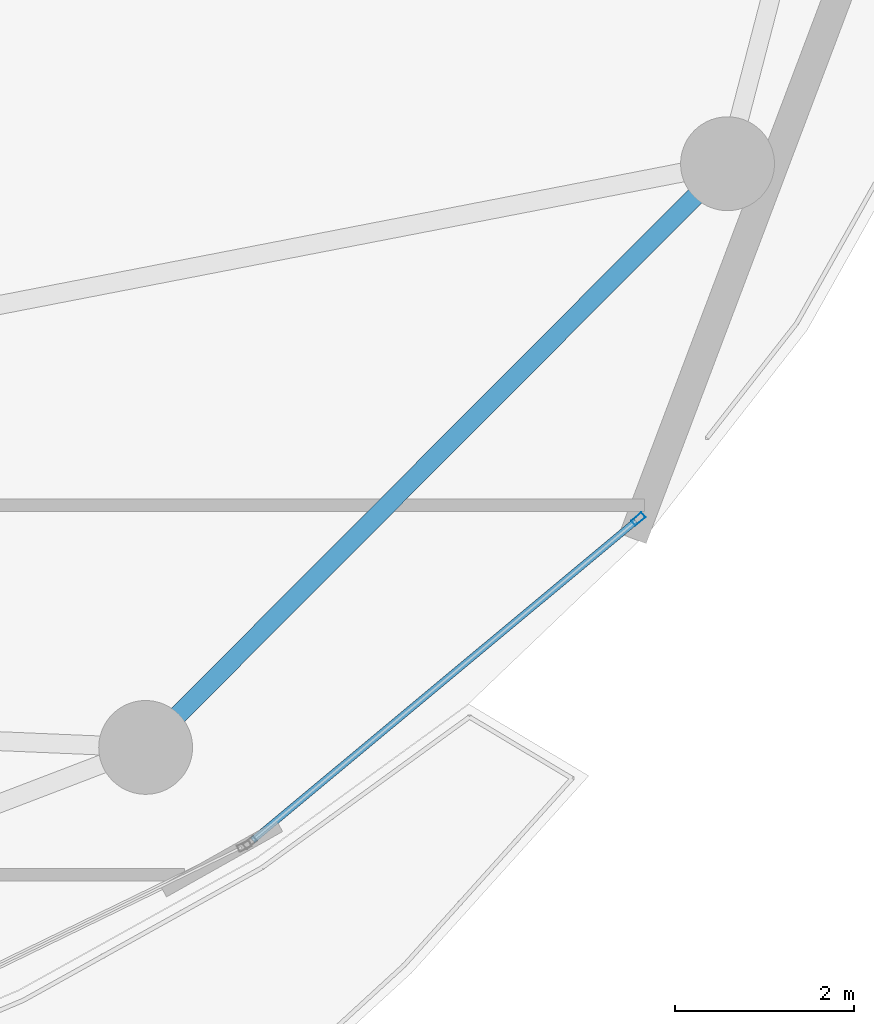
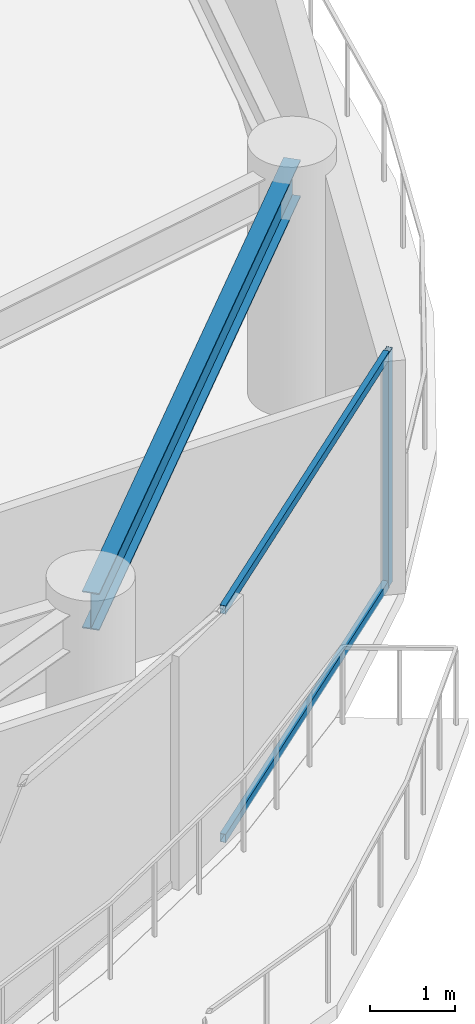
# One storey, part 14 of 30: 3 members, 1 beam, 1 element without a shape of its own.
"""IFC4 building model written with IfcOpenShell, lengths in metres."""

from ifc_helpers import new_model, si_unit, direction, frame, origin, origin_2d, place, context, subcontext, project, spatial, hollow_rectangle, i_section, extrude, material, layer, layer_set, material_profile, profile_set, type_object, element, aggregate, save


model = new_model("IFC4")

# Units and contexts
model_context = context("Model", 3, precision=1e-05, world=origin(), true_north=direction((0.0, 1.0)))
body_context = subcontext(model_context, "Body", "Model", "MODEL_VIEW")
ifc_project = project(units=[si_unit("LENGTHUNIT", "METRE"), si_unit("AREAUNIT", "SQUARE_METRE"), si_unit("VOLUMEUNIT", "CUBIC_METRE"), si_unit("PLANEANGLEUNIT", "RADIAN"), si_unit("MASSUNIT", "GRAM", prefix="KILO")], contexts=[model_context])

# Site, building, storey
site_placement = place(None, origin())
site = spatial("IfcSite", under=ifc_project, at=site_placement, CompositionType="ELEMENT")
building_placement = place(site_placement, origin())
building = spatial("IfcBuilding", under=site, at=building_placement, Name="Kazevale Care Tower and Concert Hall", CompositionType="ELEMENT")
storey_placement = place(building_placement, frame((0.0, 0.0, 242.39990234375)))
storey = spatial("IfcBuildingStorey", under=building, at=storey_placement, Name="L64", CompositionType="ELEMENT", Elevation=242.39990234375)

# Curtain wall, members
ifc_material_1 = material(Name="Aluminium 6063-T6 and Low-E Glass", Category="aluminium")
ifc_layer = layer(ifc_material_1, 0.179931640625)
ifc_layer_set = layer_set([ifc_layer], Name="Aluminium 6063-T6 and Low-E Glass")
curtain_wall_type = type_object("IfcCurtainWallType", Name="Sheltered Concave Balcony Curtain Wall CW-5", PredefinedType="NOTDEFINED", material=ifc_layer_set)
curtain_wall_placement = place(storey_placement, origin())
curtain_wall = element("IfcCurtainWall", 1, at=curtain_wall_placement, inside=storey, type_object=curtain_wall_type, Name="cw:L64:f02", PredefinedType="NOTDEFINED")
ifc_material_2 = material(Name="Aluminium 6063-T6", Category="aluminium")
ifc_material_profile_1 = material_profile(ifc_material_2, hollow_rectangle(XDim=0.074951171875, YDim=0.14990234375, WallThickness=0.00390625, at=origin_2d()), Name="ALU75x150x4")
ifc_profile_set_1 = profile_set([ifc_material_profile_1], Name="Aluminium 6063-T6")
member_type_1 = type_object("IfcMemberType", Name="CW-5 Mullion ALU75x150x4", PredefinedType="MULLION", material=ifc_profile_set_1)
member_1_placement = place(storey_placement, frame((71.76318359375, 25.2060546875, 0.0), z_axis=(0.0, 0.0, 1.0), x_axis=(0.639961217204, -0.768407210062, 0.0)))
member_1 = element("IfcMember", 2, at=member_1_placement, type_object=member_type_1, Name="CW-5 mullion 1", PredefinedType="MULLION", context=body_context, shape_type="SweptSolid", body=[
    extrude(hollow_rectangle(XDim=0.074951171875, YDim=0.14990234375, WallThickness=0.00390625, at=origin_2d()), origin(), (0.0, 0.0, 1.0), 3.360107421875),
])
ifc_material_profile_2 = material_profile(ifc_material_2, hollow_rectangle(XDim=0.074951171875, YDim=0.1201171875, WallThickness=0.00390625, at=origin_2d()), Name="ALU75x120x4")
ifc_profile_set_2 = profile_set([ifc_material_profile_2], Name="Aluminium 6063-T6")
member_type_2 = type_object("IfcMemberType", Name="CW-5 Transom ALU75x120x4", PredefinedType="USERDEFINED", material=ifc_profile_set_2)
member_2_placement = place(storey_placement, frame((71.734375, 25.181884765625, 0.03759765625), z_axis=(-0.768432829708, -0.639930454211, 0.0), x_axis=(0.639930454211, -0.768432829708, 0.0)))
member_2 = element("IfcMember", 3, at=member_2_placement, type_object=member_type_2, Name="CW-5 transom 1.1", ObjectType="TRANSOM", PredefinedType="USERDEFINED", context=body_context, shape_type="SweptSolid", body=[
    extrude(hollow_rectangle(XDim=0.074951171875, YDim=0.1201171875, WallThickness=0.00390625, at=origin_2d()), origin(), (0.0, 0.0, 1.0), 5.580078125),
])
member_3_placement = place(storey_placement, frame((71.734375, 25.181884765625, 3.322509765625), z_axis=(-0.768432829708, -0.639930454211, 0.0), x_axis=(0.639930454211, -0.768432829708, 0.0)))
member_3 = element("IfcMember", 4, at=member_3_placement, type_object=member_type_2, Name="CW-5 transom 1.2", ObjectType="TRANSOM", PredefinedType="USERDEFINED", context=body_context, shape_type="SweptSolid", body=[
    extrude(hollow_rectangle(XDim=0.074951171875, YDim=0.1201171875, WallThickness=0.00390625, at=origin_2d()), origin(), (0.0, 0.0, 1.0), 5.580078125),
])
aggregate(curtain_wall, [member_1, member_2, member_3])

# Beam
ifc_material_3 = material(Name="Steel ASTM A572 Gr 50", Category="steel")
ifc_material_profile_3 = material_profile(ifc_material_3, i_section(OverallWidth=0.208984375, OverallDepth=0.532958984375, WebThickness=0.01025390625, FlangeThickness=0.015625, at=origin_2d()), Name="W530x92")
ifc_profile_set_3 = profile_set([ifc_material_profile_3], Name="Steel ASTM A572 Gr 50")
beam_type = type_object("IfcBeamType", Name="Upper Ring Beam W530x92", PredefinedType="BEAM", material=ifc_profile_set_3)
beam_placement = place(storey_placement, frame((66.25, 22.64990234375, 3.093505859375), z_axis=(0.706020373708, 0.708191522054, 0.0), x_axis=(-0.708191522054, 0.706020373708, 0.0)))
element("IfcBeam", 5, at=beam_placement, inside=storey, type_object=beam_type, Name="beam:L64:ring:15", PredefinedType="BEAM", context=body_context, shape_type="SweptSolid", body=[
    extrude(i_section(OverallWidth=0.208984375, OverallDepth=0.532958984375, WebThickness=0.01025390625, FlangeThickness=0.015625, at=origin_2d()), origin(), (0.0, 0.0, 1.0), 9.220703125),
])

save(model, "model.ifc")
